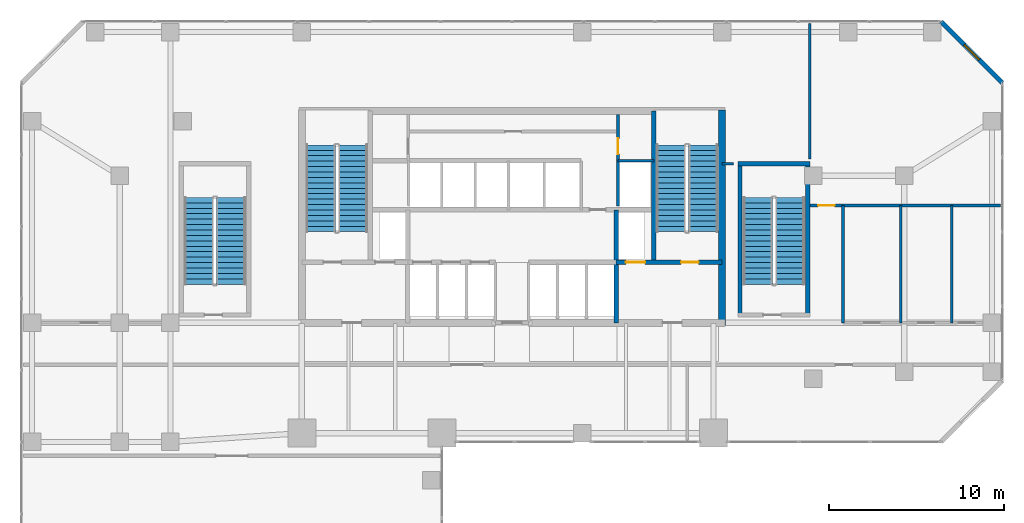
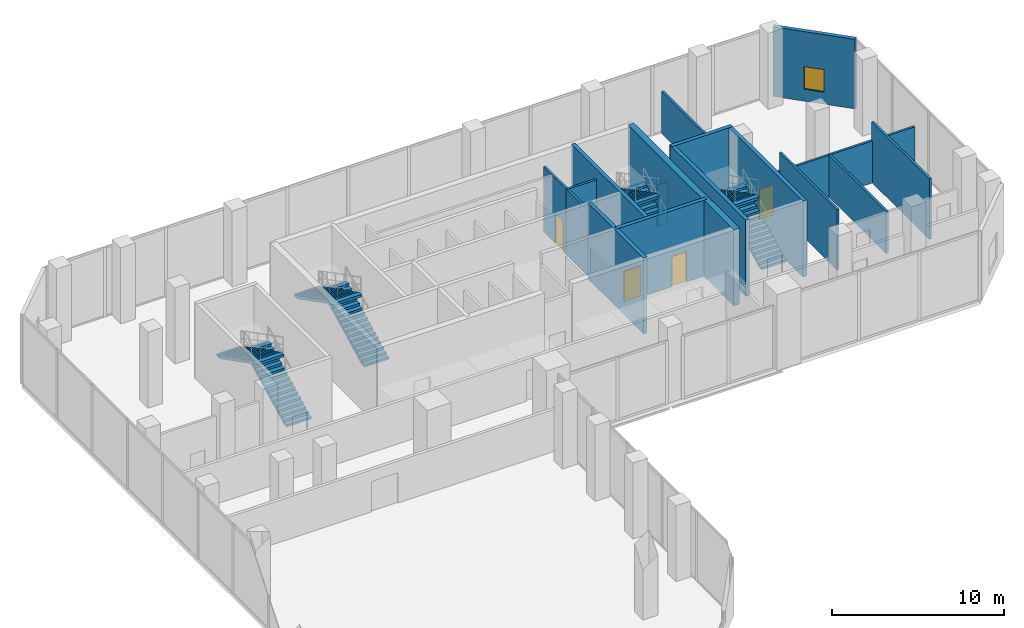
# One storey, part 22 of 24: 17 walls, 8 stair flights, 4 doors, 1 window, 5 openings, 4 elements without a shape of their own.
"""IFC4 building model written with IfcOpenShell, lengths in metres."""

from ifc_helpers import new_model, si_unit, direction, frame, frame_2d, origin, place, context, subcontext, project, spatial, polyline, rectangle, outline, extrude, material, layer, layer_set, type_object, element, fill, aggregate, save


model = new_model("IFC4")

# Units and contexts
model_context = context("Model", 3, precision=1e-05, world=origin(), true_north=direction((0.0, 1.0)))
body_context = subcontext(model_context, "Body", "Model", "MODEL_VIEW")
ifc_project = project(units=[si_unit("LENGTHUNIT", "METRE"), si_unit("AREAUNIT", "SQUARE_METRE"), si_unit("VOLUMEUNIT", "CUBIC_METRE"), si_unit("PLANEANGLEUNIT", "RADIAN"), si_unit("MASSUNIT", "GRAM", prefix="KILO")], contexts=[model_context])

# Site, building, storey
site_placement = place(None, origin())
site = spatial("IfcSite", under=ifc_project, at=site_placement, CompositionType="ELEMENT")
building_placement = place(site_placement, origin())
building = spatial("IfcBuilding", under=site, at=building_placement, Name="Catumbela Crestline Tower", CompositionType="ELEMENT")
storey_placement = place(building_placement, frame((0.0, 0.0, 15.9)))
storey = spatial("IfcBuildingStorey", under=building, at=storey_placement, Name="L03", CompositionType="ELEMENT", Elevation=15.9)

# Walls
ifc_material_1 = material(Name="Concrete C50/60", Category="concrete")
ifc_layer_1 = layer(ifc_material_1, 0.25, Name="Concrete C50/60")
ifc_layer_set_1 = layer_set([ifc_layer_1], Name="Concrete C50/60")
wall_type_1 = type_object("IfcWallType", Name="CW-250D", PredefinedType="SHEAR", material=ifc_layer_set_1)
wall_1_placement = place(storey_placement, frame((36.1, 34.25, 0.0), z_axis=(0.0, 0.0, 1.0), x_axis=(0.0, 1.0, 0.0)))
element("IfcWall", 1, at=wall_1_placement, inside=storey, type_object=wall_type_1, Name="L03 Structural Core Shear Wall EWEB", PredefinedType="SHEAR", context=body_context, shape_type="SweptSolid", body=[
    extrude(rectangle(XDim=8.65, YDim=0.25, at=frame_2d((4.325, 0.0))), origin(), (0.0, 0.0, 1.0), 5.4),
])
wall_2_placement = place(storey_placement, frame((33.95, 30.8, 0.0), z_axis=(0.0, 0.0, 1.0), x_axis=(0.0, 1.0, 0.0)))
element("IfcWall", 2, at=wall_2_placement, inside=storey, type_object=wall_type_1, Name="L03 Structural Core Shear Wall FFE", PredefinedType="SHEAR", context=body_context, shape_type="SweptSolid", body=[
    extrude(rectangle(XDim=6.45, YDim=0.25, at=frame_2d((3.225, 0.0))), origin(), (0.0, 0.0, 1.0), 5.4),
])

# Wall, openings, doors
wall_3_placement = place(storey_placement, frame((33.95, 34.25, 0.0), z_axis=(0.0, 0.0, 1.0), x_axis=(1.0, 0.0, 0.0)))
wall_3 = element("IfcWall", 3, at=wall_3_placement, inside=storey, type_object=wall_type_1, Name="L03 Structural Core Shear Wall ST2S", PredefinedType="SHEAR", context=body_context, shape_type="SweptSolid", body=[
    extrude(rectangle(XDim=6.05, YDim=0.25, at=frame_2d((3.025, 0.0))), origin(), (0.0, 0.0, 1.0), 5.4),
])
opening_1_placement = place(wall_3_placement, frame((3.7, 0.0, 0.0)))
opening_1 = element("IfcOpeningElement", 4, at=opening_1_placement, cuts=wall_3, Name="Opening DF9-100", PredefinedType="OPENING", context=body_context, shape_type="SweptSolid", body=[
    extrude(rectangle(XDim=1.0, YDim=2.15, at=frame_2d((0.5, 1.075))), frame((0.0, 0.135, 0.0), z_axis=(0.0, -1.0, 0.0), x_axis=(1.0, 0.0, 0.0)), (0.0, 0.0, 1.0), 0.27),
])
opening_2_placement = place(wall_3_placement, frame((0.55, 0.0, 0.0)))
opening_2 = element("IfcOpeningElement", 5, at=opening_2_placement, cuts=wall_3, Name="Opening LD-110", PredefinedType="OPENING", context=body_context, shape_type="SweptSolid", body=[
    extrude(rectangle(XDim=1.1, YDim=2.15, at=frame_2d((0.55, 1.075))), frame((0.0, 0.135, 0.0), z_axis=(0.0, -1.0, 0.0), x_axis=(1.0, 0.0, 0.0)), (0.0, 0.0, 1.0), 0.27),
])
ifc_material_2 = material(Name="Stainless steel EN 1.4401", Category="steel")
door_type_1 = type_object("IfcDoorType", Name="DF9-100", OperationType="NOTDEFINED", PredefinedType="DOOR", material=ifc_material_2)
door_1_placement = place(opening_1_placement, origin())
door_1 = element("IfcDoor", 6, at=door_1_placement, inside=storey, type_object=door_type_1, Name="L03 Interior Door DR-L03-ST02", OperationType="SINGLE_SWING_RIGHT", OverallHeight=2.15, OverallWidth=1.0, PredefinedType="DOOR", context=body_context, shape_type="SweptSolid", body=[
    extrude(rectangle(XDim=1.0, YDim=2.15, at=frame_2d((0.5, 1.075))), frame((0.0, 0.025, 0.0), z_axis=(0.0, -1.0, 0.0), x_axis=(1.0, 0.0, 0.0)), (0.0, 0.0, 1.0), 0.05),
])
fill(opening_1, door_1)
door_type_2 = type_object("IfcDoorType", Name="LD-110", OperationType="NOTDEFINED", PredefinedType="DOOR", material=ifc_material_2)
door_2_placement = place(opening_2_placement, origin())
door_2 = element("IfcDoor", 7, at=door_2_placement, inside=storey, type_object=door_type_2, Name="L03 Lift Landing Sliding Door FL-02", OperationType="DOUBLE_DOOR_SLIDING", OverallHeight=2.15, OverallWidth=1.1, PredefinedType="DOOR", context=body_context, shape_type="SweptSolid", body=[
    extrude(rectangle(XDim=1.1, YDim=2.15, at=frame_2d((0.55, 1.075))), frame((0.0, 0.025, 0.0), z_axis=(0.0, -1.0, 0.0), x_axis=(1.0, 0.0, 0.0)), (0.0, 0.0, 1.0), 0.05),
])
fill(opening_2, door_2)

# Walls
for number, where, z_axis, x_axis, name in (
    (8, (41.02, 31.15, 0.0), (0.0, 0.0, 1.0), (0.0, 1.0, 0.0), "L03 Structural Core Shear Wall ST4W"),
    (9, (44.88, 31.15, 0.0), (0.0, 0.0, 1.0), (0.0, 1.0, 0.0), "L03 Structural Core Shear Wall ST4E"),
):
    element("IfcWall", number, at=place(storey_placement, frame(where, z_axis=z_axis, x_axis=x_axis)), inside=storey, type_object=wall_type_1, Name=name, PredefinedType="SHEAR", context=body_context, shape_type="SweptSolid", body=[
        extrude(rectangle(XDim=8.8, YDim=0.25, at=frame_2d((4.4, 0.0))), origin(), (0.0, 0.0, 1.0), 5.4),
    ])
wall_4_placement = place(storey_placement, frame((40.9, 39.88, 0.0), z_axis=(0.0, 0.0, 1.0), x_axis=(1.0, 0.0, 0.0)))
element("IfcWall", 10, at=wall_4_placement, inside=storey, type_object=wall_type_1, Name="L03 Structural Core Shear Wall ST4N", PredefinedType="SHEAR", context=body_context, shape_type="SweptSolid", body=[
    extrude(rectangle(XDim=4.1, YDim=0.25, at=frame_2d((2.05, 0.0))), origin(), (0.0, 0.0, 1.0), 5.4),
])
ifc_material_3 = material(Name="Concrete C60/75", Category="concrete")
ifc_layer_2 = layer(ifc_material_3, 0.4, Name="Concrete C60/75")
ifc_layer_set_2 = layer_set([ifc_layer_2], Name="Concrete C60/75")
wall_type_2 = type_object("IfcWallType", Name="CW-400A", PredefinedType="SHEAR", material=ifc_layer_set_2)
wall_5_placement = place(storey_placement, frame((40.0, 30.65, 0.0), z_axis=(0.0, 0.0, 1.0), x_axis=(0.0, 1.0, 0.0)))
element("IfcWall", 11, at=wall_5_placement, inside=storey, type_object=wall_type_2, Name="L03 Structural Core Shear Wall E", PredefinedType="SHEAR", context=body_context, shape_type="SweptSolid", body=[
    extrude(rectangle(XDim=12.3, YDim=0.4, at=frame_2d((6.15, 0.0))), origin(), (0.0, 0.0, 1.0), 5.4),
])

# Wall, opening, window
ifc_material_4 = material(Name="Angolan grey-ochre granite", Category="masonry")
ifc_layer_3 = layer(ifc_material_4, 0.25, Name="Angolan grey-ochre granite")
ifc_layer_set_3 = layer_set([ifc_layer_3], Name="Angolan grey-ochre granite")
wall_type_3 = type_object("IfcWallType", Name="WE-250", PredefinedType="STANDARD", material=ifc_layer_set_3)
wall_6_placement = place(storey_placement, frame((56.0, 44.5, 0.0), z_axis=(0.0, 0.0, 1.0), x_axis=(-0.707106781187, 0.707106781187, 0.0)))
wall_6 = element("IfcWall", 12, at=wall_6_placement, inside=storey, type_object=wall_type_3, Name="L03 Granite Punched Window Wall 6-1", PredefinedType="STANDARD", context=body_context, shape_type="SweptSolid", body=[
    extrude(rectangle(XDim=4.9497, YDim=0.25, at=frame_2d((2.4748, 0.0))), origin(), (0.0, 0.0, 1.0), 4.94),
])
opening_3_placement = place(wall_6_placement, frame((1.8748, 0.0, 0.85)))
opening_3 = element("IfcOpeningElement", 13, at=opening_3_placement, cuts=wall_6, Name="Opening WN-02", PredefinedType="OPENING", context=body_context, shape_type="SweptSolid", body=[
    extrude(rectangle(XDim=1.2, YDim=1.6, at=frame_2d((0.6, 0.8))), frame((0.0, 0.135, 0.0), z_axis=(0.0, -1.0, 0.0), x_axis=(1.0, 0.0, 0.0)), (0.0, 0.0, 1.0), 0.27),
])
ifc_material_5 = material(Name="Low-E laminated solar-control double glazing", Category="glass")
window_type = type_object("IfcWindowType", Name="WO-1200", PartitioningType="SINGLE_PANEL", PredefinedType="WINDOW", material=ifc_material_5)
window_placement = place(opening_3_placement, origin())
window = element("IfcWindow", 14, at=window_placement, inside=storey, type_object=window_type, Name="L03 Facade Vision Window 38", OverallHeight=1.6, OverallWidth=1.2, PartitioningType="SINGLE_PANEL", PredefinedType="WINDOW", context=body_context, shape_type="SweptSolid", body=[
    extrude(rectangle(XDim=1.2, YDim=1.6, at=frame_2d((0.6, 0.8))), frame((0.0, 0.03, 0.0), z_axis=(0.0, -1.0, 0.0), x_axis=(1.0, 0.0, 0.0)), (0.0, 0.0, 1.0), 0.06),
])
fill(opening_3, window)

# Wall
ifc_material_6 = material(Name="Acoustic gypsum and mineral-wool partition")
ifc_layer_4 = layer(ifc_material_6, 0.15, Name="Acoustic gypsum and mineral-wool partition")
ifc_layer_set_4 = layer_set([ifc_layer_4], Name="Acoustic gypsum and mineral-wool partition")
wall_type_4 = type_object("IfcWallType", Name="WP-150", PredefinedType="PARTITIONING", material=ifc_layer_set_4)
wall_7_placement = place(storey_placement, frame((34.05, 40.05, 0.0), z_axis=(0.0, 0.0, 1.0), x_axis=(1.0, 0.0, 0.0)))
element("IfcWall", 15, at=wall_7_placement, inside=storey, type_object=wall_type_4, Name="L03 Interior Partition PW-L03-CR-ES", PredefinedType="PARTITIONING", context=body_context, shape_type="SweptSolid", body=[
    extrude(rectangle(XDim=2.05, YDim=0.15, at=frame_2d((1.025, 0.0))), origin(), (0.0, 0.0, 1.0), 4.64),
])

# Wall, opening, door
wall_8_placement = place(storey_placement, frame((34.05, 40.05, 0.0), z_axis=(0.0, 0.0, 1.0), x_axis=(0.0, 1.0, 0.0)))
wall_8 = element("IfcWall", 16, at=wall_8_placement, inside=storey, type_object=wall_type_4, Name="L03 Interior Partition PW-L03-CR-EW", PredefinedType="PARTITIONING", context=body_context, shape_type="SweptSolid", body=[
    extrude(rectangle(XDim=2.63, YDim=0.15, at=frame_2d((1.315, 0.0))), origin(), (0.0, 0.0, 1.0), 4.64),
])
opening_4_placement = place(wall_8_placement, frame((0.385, 0.0, 0.0)))
opening_4 = element("IfcOpeningElement", 17, at=opening_4_placement, cuts=wall_8, Name="Opening DF9-090", PredefinedType="OPENING", context=body_context, shape_type="SweptSolid", body=[
    extrude(rectangle(XDim=0.9, YDim=2.15, at=frame_2d((0.45, 1.075))), frame((0.0, 0.085, 0.0), z_axis=(0.0, -1.0, 0.0), x_axis=(1.0, 0.0, 0.0)), (0.0, 0.0, 1.0), 0.17),
])
door_type_3 = type_object("IfcDoorType", Name="DF9-090", OperationType="NOTDEFINED", PredefinedType="DOOR", material=ifc_material_2)
door_3_placement = place(opening_4_placement, origin())
door_3 = element("IfcDoor", 18, at=door_3_placement, inside=storey, type_object=door_type_3, Name="L03 Interior Door DR-L03-CREAST", OperationType="SINGLE_SWING_RIGHT", OverallHeight=2.15, OverallWidth=0.9, PredefinedType="DOOR", context=body_context, shape_type="SweptSolid", body=[
    extrude(rectangle(XDim=0.9, YDim=2.15, at=frame_2d((0.45, 1.075))), frame((0.0, 0.025, 0.0), z_axis=(0.0, -1.0, 0.0), x_axis=(1.0, 0.0, 0.0)), (0.0, 0.0, 1.0), 0.05),
])
fill(opening_4, door_3)

# Walls
wall_9_placement = place(storey_placement, frame((46.9, 30.8, 0.0), z_axis=(0.0, 0.0, 1.0), x_axis=(0.0, 1.0, 0.0)))
element("IfcWall", 19, at=wall_9_placement, inside=storey, type_object=wall_type_4, Name="L03 Interior Partition PW-L03-PSGE", PredefinedType="PARTITIONING", context=body_context, shape_type="SweptSolid", body=[
    extrude(rectangle(XDim=6.7, YDim=0.15, at=frame_2d((3.35, 0.0))), origin(), (0.0, 0.0, 1.0), 4.29),
])
wall_10_placement = place(storey_placement, frame((50.2, 30.8, 0.0), z_axis=(0.0, 0.0, 1.0), x_axis=(0.0, 1.0, 0.0)))
element("IfcWall", 20, at=wall_10_placement, inside=storey, type_object=wall_type_4, Name="L03 Interior Partition PW-L03-WCM1", PredefinedType="PARTITIONING", context=body_context, shape_type="SweptSolid", body=[
    extrude(rectangle(XDim=6.7, YDim=0.15, at=frame_2d((3.35, 0.0))), origin(), (0.0, 0.0, 1.0), 2.98),
])
wall_11_placement = place(storey_placement, frame((53.1, 30.8, 0.0), z_axis=(0.0, 0.0, 1.0), x_axis=(0.0, 1.0, 0.0)))
element("IfcWall", 21, at=wall_11_placement, inside=storey, type_object=wall_type_4, Name="L03 Interior Partition PW-L03-WCM2", PredefinedType="PARTITIONING", context=body_context, shape_type="SweptSolid", body=[
    extrude(rectangle(XDim=6.7, YDim=0.15, at=frame_2d((3.35, 0.0))), origin(), (0.0, 0.0, 1.0), 4.29),
])

# Wall, opening, door
wall_12_placement = place(storey_placement, frame((45.0, 37.5, 0.0), z_axis=(0.0, 0.0, 1.0), x_axis=(1.0, 0.0, 0.0)))
wall_12 = element("IfcWall", 22, at=wall_12_placement, inside=storey, type_object=wall_type_4, Name="L03 Interior Partition PW-L03-WCN", PredefinedType="PARTITIONING", context=body_context, shape_type="SweptSolid", body=[
    extrude(rectangle(XDim=10.9, YDim=0.15, at=frame_2d((5.45, 0.0))), origin(), (0.0, 0.0, 1.0), 2.98),
])
opening_5_placement = place(wall_12_placement, frame((0.475, 0.0, 0.0)))
opening_5 = element("IfcOpeningElement", 23, at=opening_5_placement, cuts=wall_12, Name="Opening DF6-095", PredefinedType="OPENING", context=body_context, shape_type="SweptSolid", body=[
    extrude(rectangle(XDim=0.95, YDim=2.15, at=frame_2d((0.475, 1.075))), frame((0.0, 0.085, 0.0), z_axis=(0.0, -1.0, 0.0), x_axis=(1.0, 0.0, 0.0)), (0.0, 0.0, 1.0), 0.17),
])
ifc_material_7 = material(Name="Aluminium alloy AW-6060-T66", Category="aluminium")
door_type_4 = type_object("IfcDoorType", Name="DF6-095", OperationType="NOTDEFINED", PredefinedType="DOOR", material=ifc_material_7)
door_4_placement = place(opening_5_placement, origin())
door_4 = element("IfcDoor", 24, at=door_4_placement, inside=storey, type_object=door_type_4, Name="L03 Interior Door DR-L03-NEE", OperationType="SINGLE_SWING_RIGHT", OverallHeight=2.15, OverallWidth=0.95, PredefinedType="DOOR", context=body_context, shape_type="SweptSolid", body=[
    extrude(rectangle(XDim=0.95, YDim=2.15, at=frame_2d((0.475, 1.075))), frame((0.0, 0.025, 0.0), z_axis=(0.0, -1.0, 0.0), x_axis=(1.0, 0.0, 0.0)), (0.0, 0.0, 1.0), 0.05),
])
fill(opening_5, door_4)

# Walls
wall_13_placement = place(storey_placement, frame((45.0, 40.1634, 0.0), z_axis=(0.0, 0.0, 1.0), x_axis=(0.0, 1.0, 0.0)))
element("IfcWall", 25, at=wall_13_placement, inside=storey, type_object=wall_type_4, Name="L03 Interior Partition PW-L03-NESVW", PredefinedType="PARTITIONING", context=body_context, shape_type="SweptSolid", body=[
    extrude(rectangle(XDim=7.7366, YDim=0.15, at=frame_2d((3.8683, 0.0))), origin(), (0.0, 0.0, 1.0), 2.98),
])
wall_14_placement = place(storey_placement, frame((40.0, 39.88, 0.0), z_axis=(0.0, 0.0, 1.0), x_axis=(1.0, 0.0, 0.0)))
element("IfcWall", 26, at=wall_14_placement, inside=storey, type_object=wall_type_4, Name="L03 Interior Partition PW-L03-NECR", PredefinedType="PARTITIONING", context=body_context, shape_type="SweptSolid", body=[
    extrude(rectangle(XDim=0.655, YDim=0.15, at=frame_2d((0.3275, 0.0))), origin(), (0.0, 0.0, 1.0), 2.98),
])
ifc_layer_5 = layer(ifc_material_6, 0.15, Name="Acoustic gypsum and mineral-wool partition")
ifc_layer_set_5 = layer_set([ifc_layer_5], Name="Acoustic gypsum and mineral-wool partition")
wall_type_5 = type_object("IfcWallType", Name="WS-150", PredefinedType="PLUMBINGWALL", material=ifc_layer_set_5)
wall_15_placement = place(storey_placement, frame((34.05, 37.4734, 0.0), z_axis=(0.0, 0.0, 1.0), x_axis=(0.0, 1.0, 0.0)))
element("IfcWall", 27, at=wall_15_placement, inside=storey, type_object=wall_type_5, Name="L03 Interior Partition PW-L03-RISW", PredefinedType="PLUMBINGWALL", context=body_context, shape_type="SweptSolid", body=[
    extrude(rectangle(XDim=2.5766, YDim=0.15, at=frame_2d((1.2883, 0.0))), origin(), (0.0, 0.0, 1.0), 4.64),
])

# Stair, stair flights
ifc_material_8 = material(Name="Concrete C45/55", Category="concrete")
stair_type = type_object("IfcStairType", Name="ST-DLG", PredefinedType="HALF_TURN_STAIR", material=ifc_material_8)
stair_1_placement = place(storey_placement, origin())
stair_1 = element("IfcStair", 28, at=stair_1_placement, inside=storey, type_object=stair_type, Name="L03 West Core Pressurised Exit Stair ST-01", PredefinedType="HALF_TURN_STAIR")
stair_flight_type = type_object("IfcStairFlightType", Name="SF-1588", PredefinedType="STRAIGHT", material=ifc_material_8)
stair_flight_1_placement = place(storey_placement, frame((18.92, 36.0, 0.0), z_axis=(0.0, 0.0, 1.0), x_axis=(0.0, 1.0, 0.0)))
stair_flight_1 = element("IfcStairFlight", 29, at=stair_flight_1_placement, type_object=stair_flight_type, Name="ST-01 flight 1", NumberOfRisers=17, NumberOfTreads=16, PredefinedType="STRAIGHT", RiserHeight=0.158823529, TreadLength=0.31, context=body_context, shape_type="SweptSolid", body=[
    extrude(outline(polyline([(0.0, 0.0), (0.0, 0.1588), (0.31, 0.1588), (0.31, 0.3176), (0.62, 0.3176), (0.62, 0.4765), (0.93, 0.4765), (0.93, 0.6353), (1.24, 0.6353), (1.24, 0.7941), (1.55, 0.7941), (1.55, 0.9529), (1.86, 0.9529), (1.86, 1.1118), (2.17, 1.1118), (2.17, 1.2706), (2.48, 1.2706), (2.48, 1.4294), (2.79, 1.4294), (2.79, 1.5882), (3.1, 1.5882), (3.1, 1.7471), (3.41, 1.7471), (3.41, 1.9059), (3.72, 1.9059), (3.72, 2.0647), (4.03, 2.0647), (4.03, 2.2235), (4.34, 2.2235), (4.34, 2.3824), (4.65, 2.3824), (4.65, 2.5412), (4.96, 2.5412), (4.96, 2.7), (4.96, 2.3614), (0.3509, 0.0), (0.0, 0.0)])), frame((0.0, 0.83, 0.0), z_axis=(0.0, -1.0, 0.0), x_axis=(1.0, 0.0, 0.0)), (0.0, 0.0, 1.0), 1.66),
])
stair_flight_2_placement = place(storey_placement, frame((17.08, 40.96, 2.7), z_axis=(0.0, 0.0, 1.0), x_axis=(0.0, -1.0, 0.0)))
stair_flight_2 = element("IfcStairFlight", 30, at=stair_flight_2_placement, type_object=stair_flight_type, Name="ST-01 flight 2", NumberOfRisers=17, NumberOfTreads=16, PredefinedType="STRAIGHT", RiserHeight=0.158823529, TreadLength=0.31, context=body_context, shape_type="SweptSolid", body=[
    extrude(outline(polyline([(0.0, 0.0), (0.0, 0.1588), (0.31, 0.1588), (0.31, 0.3176), (0.62, 0.3176), (0.62, 0.4765), (0.93, 0.4765), (0.93, 0.6353), (1.24, 0.6353), (1.24, 0.7941), (1.55, 0.7941), (1.55, 0.9529), (1.86, 0.9529), (1.86, 1.1118), (2.17, 1.1118), (2.17, 1.2706), (2.48, 1.2706), (2.48, 1.4294), (2.79, 1.4294), (2.79, 1.5882), (3.1, 1.5882), (3.1, 1.7471), (3.41, 1.7471), (3.41, 1.9059), (3.72, 1.9059), (3.72, 2.0647), (4.03, 2.0647), (4.03, 2.2235), (4.34, 2.2235), (4.34, 2.3824), (4.65, 2.3824), (4.65, 2.5412), (4.96, 2.5412), (4.96, 2.7), (4.96, 2.3614), (0.3509, 0.0), (0.0, 0.0)])), frame((0.0, 0.83, 0.0), z_axis=(0.0, -1.0, 0.0), x_axis=(1.0, 0.0, 0.0)), (0.0, 0.0, 1.0), 1.66),
])
aggregate(stair_1, [stair_flight_1, stair_flight_2])

stair_2_placement = place(storey_placement, origin())
stair_2 = element("IfcStair", 31, at=stair_2_placement, inside=storey, type_object=stair_type, Name="L03 East Core Pressurised Exit Stair ST-02", PredefinedType="HALF_TURN_STAIR")
stair_flight_3_placement = place(storey_placement, frame((38.92, 36.0, 0.0), z_axis=(0.0, 0.0, 1.0), x_axis=(0.0, 1.0, 0.0)))
stair_flight_3 = element("IfcStairFlight", 32, at=stair_flight_3_placement, type_object=stair_flight_type, Name="ST-02 flight 1", NumberOfRisers=17, NumberOfTreads=16, PredefinedType="STRAIGHT", RiserHeight=0.158823529, TreadLength=0.31, context=body_context, shape_type="SweptSolid", body=[
    extrude(outline(polyline([(0.0, 0.0), (0.0, 0.1588), (0.31, 0.1588), (0.31, 0.3176), (0.62, 0.3176), (0.62, 0.4765), (0.93, 0.4765), (0.93, 0.6353), (1.24, 0.6353), (1.24, 0.7941), (1.55, 0.7941), (1.55, 0.9529), (1.86, 0.9529), (1.86, 1.1118), (2.17, 1.1118), (2.17, 1.2706), (2.48, 1.2706), (2.48, 1.4294), (2.79, 1.4294), (2.79, 1.5882), (3.1, 1.5882), (3.1, 1.7471), (3.41, 1.7471), (3.41, 1.9059), (3.72, 1.9059), (3.72, 2.0647), (4.03, 2.0647), (4.03, 2.2235), (4.34, 2.2235), (4.34, 2.3824), (4.65, 2.3824), (4.65, 2.5412), (4.96, 2.5412), (4.96, 2.7), (4.96, 2.3614), (0.3509, 0.0), (0.0, 0.0)])), frame((0.0, 0.83, 0.0), z_axis=(0.0, -1.0, 0.0), x_axis=(1.0, 0.0, 0.0)), (0.0, 0.0, 1.0), 1.66),
])
stair_flight_4_placement = place(storey_placement, frame((37.08, 40.96, 2.7), z_axis=(0.0, 0.0, 1.0), x_axis=(0.0, -1.0, 0.0)))
stair_flight_4 = element("IfcStairFlight", 33, at=stair_flight_4_placement, type_object=stair_flight_type, Name="ST-02 flight 2", NumberOfRisers=17, NumberOfTreads=16, PredefinedType="STRAIGHT", RiserHeight=0.158823529, TreadLength=0.31, context=body_context, shape_type="SweptSolid", body=[
    extrude(outline(polyline([(0.0, 0.0), (0.0, 0.1588), (0.31, 0.1588), (0.31, 0.3176), (0.62, 0.3176), (0.62, 0.4765), (0.93, 0.4765), (0.93, 0.6353), (1.24, 0.6353), (1.24, 0.7941), (1.55, 0.7941), (1.55, 0.9529), (1.86, 0.9529), (1.86, 1.1118), (2.17, 1.1118), (2.17, 1.2706), (2.48, 1.2706), (2.48, 1.4294), (2.79, 1.4294), (2.79, 1.5882), (3.1, 1.5882), (3.1, 1.7471), (3.41, 1.7471), (3.41, 1.9059), (3.72, 1.9059), (3.72, 2.0647), (4.03, 2.0647), (4.03, 2.2235), (4.34, 2.2235), (4.34, 2.3824), (4.65, 2.3824), (4.65, 2.5412), (4.96, 2.5412), (4.96, 2.7), (4.96, 2.3614), (0.3509, 0.0), (0.0, 0.0)])), frame((0.0, 0.83, 0.0), z_axis=(0.0, -1.0, 0.0), x_axis=(1.0, 0.0, 0.0)), (0.0, 0.0, 1.0), 1.66),
])
aggregate(stair_2, [stair_flight_3, stair_flight_4])

stair_3_placement = place(storey_placement, origin())
stair_3 = element("IfcStair", 34, at=stair_3_placement, inside=storey, type_object=stair_type, Name="L03 South-West Podium Exit Stair ST-03", PredefinedType="HALF_TURN_STAIR")
stair_flight_5_placement = place(storey_placement, frame((11.97, 33.0, 0.0), z_axis=(0.0, 0.0, 1.0), x_axis=(0.0, 1.0, 0.0)))
stair_flight_5 = element("IfcStairFlight", 35, at=stair_flight_5_placement, type_object=stair_flight_type, Name="ST-03 flight 1", NumberOfRisers=17, NumberOfTreads=16, PredefinedType="STRAIGHT", RiserHeight=0.158823529, TreadLength=0.31, context=body_context, shape_type="SweptSolid", body=[
    extrude(outline(polyline([(0.0, 0.0), (0.0, 0.1588), (0.31, 0.1588), (0.31, 0.3176), (0.62, 0.3176), (0.62, 0.4765), (0.93, 0.4765), (0.93, 0.6353), (1.24, 0.6353), (1.24, 0.7941), (1.55, 0.7941), (1.55, 0.9529), (1.86, 0.9529), (1.86, 1.1118), (2.17, 1.1118), (2.17, 1.2706), (2.48, 1.2706), (2.48, 1.4294), (2.79, 1.4294), (2.79, 1.5882), (3.1, 1.5882), (3.1, 1.7471), (3.41, 1.7471), (3.41, 1.9059), (3.72, 1.9059), (3.72, 2.0647), (4.03, 2.0647), (4.03, 2.2235), (4.34, 2.2235), (4.34, 2.3824), (4.65, 2.3824), (4.65, 2.5412), (4.96, 2.5412), (4.96, 2.7), (4.96, 2.3614), (0.3509, 0.0), (0.0, 0.0)])), frame((0.0, 0.83, 0.0), z_axis=(0.0, -1.0, 0.0), x_axis=(1.0, 0.0, 0.0)), (0.0, 0.0, 1.0), 1.66),
])
stair_flight_6_placement = place(storey_placement, frame((10.13, 37.96, 2.7), z_axis=(0.0, 0.0, 1.0), x_axis=(0.0, -1.0, 0.0)))
stair_flight_6 = element("IfcStairFlight", 36, at=stair_flight_6_placement, type_object=stair_flight_type, Name="ST-03 flight 2", NumberOfRisers=17, NumberOfTreads=16, PredefinedType="STRAIGHT", RiserHeight=0.158823529, TreadLength=0.31, context=body_context, shape_type="SweptSolid", body=[
    extrude(outline(polyline([(0.0, 0.0), (0.0, 0.1588), (0.31, 0.1588), (0.31, 0.3176), (0.62, 0.3176), (0.62, 0.4765), (0.93, 0.4765), (0.93, 0.6353), (1.24, 0.6353), (1.24, 0.7941), (1.55, 0.7941), (1.55, 0.9529), (1.86, 0.9529), (1.86, 1.1118), (2.17, 1.1118), (2.17, 1.2706), (2.48, 1.2706), (2.48, 1.4294), (2.79, 1.4294), (2.79, 1.5882), (3.1, 1.5882), (3.1, 1.7471), (3.41, 1.7471), (3.41, 1.9059), (3.72, 1.9059), (3.72, 2.0647), (4.03, 2.0647), (4.03, 2.2235), (4.34, 2.2235), (4.34, 2.3824), (4.65, 2.3824), (4.65, 2.5412), (4.96, 2.5412), (4.96, 2.7), (4.96, 2.3614), (0.3509, 0.0), (0.0, 0.0)])), frame((0.0, 0.83, 0.0), z_axis=(0.0, -1.0, 0.0), x_axis=(1.0, 0.0, 0.0)), (0.0, 0.0, 1.0), 1.66),
])
aggregate(stair_3, [stair_flight_5, stair_flight_6])

stair_4_placement = place(storey_placement, origin())
stair_4 = element("IfcStair", 37, at=stair_4_placement, inside=storey, type_object=stair_type, Name="L03 East Galleria Podium Exit Stair ST-04", PredefinedType="HALF_TURN_STAIR")
stair_flight_7_placement = place(storey_placement, frame((43.87, 33.0, 0.0), z_axis=(0.0, 0.0, 1.0), x_axis=(0.0, 1.0, 0.0)))
stair_flight_7 = element("IfcStairFlight", 38, at=stair_flight_7_placement, type_object=stair_flight_type, Name="ST-04 flight 1", NumberOfRisers=17, NumberOfTreads=16, PredefinedType="STRAIGHT", RiserHeight=0.158823529, TreadLength=0.31, context=body_context, shape_type="SweptSolid", body=[
    extrude(outline(polyline([(0.0, 0.0), (0.0, 0.1588), (0.31, 0.1588), (0.31, 0.3176), (0.62, 0.3176), (0.62, 0.4765), (0.93, 0.4765), (0.93, 0.6353), (1.24, 0.6353), (1.24, 0.7941), (1.55, 0.7941), (1.55, 0.9529), (1.86, 0.9529), (1.86, 1.1118), (2.17, 1.1118), (2.17, 1.2706), (2.48, 1.2706), (2.48, 1.4294), (2.79, 1.4294), (2.79, 1.5882), (3.1, 1.5882), (3.1, 1.7471), (3.41, 1.7471), (3.41, 1.9059), (3.72, 1.9059), (3.72, 2.0647), (4.03, 2.0647), (4.03, 2.2235), (4.34, 2.2235), (4.34, 2.3824), (4.65, 2.3824), (4.65, 2.5412), (4.96, 2.5412), (4.96, 2.7), (4.96, 2.3614), (0.3509, 0.0), (0.0, 0.0)])), frame((0.0, 0.83, 0.0), z_axis=(0.0, -1.0, 0.0), x_axis=(1.0, 0.0, 0.0)), (0.0, 0.0, 1.0), 1.66),
])
stair_flight_8_placement = place(storey_placement, frame((42.03, 37.96, 2.7), z_axis=(0.0, 0.0, 1.0), x_axis=(0.0, -1.0, 0.0)))
stair_flight_8 = element("IfcStairFlight", 39, at=stair_flight_8_placement, type_object=stair_flight_type, Name="ST-04 flight 2", NumberOfRisers=17, NumberOfTreads=16, PredefinedType="STRAIGHT", RiserHeight=0.158823529, TreadLength=0.31, context=body_context, shape_type="SweptSolid", body=[
    extrude(outline(polyline([(0.0, 0.0), (0.0, 0.1588), (0.31, 0.1588), (0.31, 0.3176), (0.62, 0.3176), (0.62, 0.4765), (0.93, 0.4765), (0.93, 0.6353), (1.24, 0.6353), (1.24, 0.7941), (1.55, 0.7941), (1.55, 0.9529), (1.86, 0.9529), (1.86, 1.1118), (2.17, 1.1118), (2.17, 1.2706), (2.48, 1.2706), (2.48, 1.4294), (2.79, 1.4294), (2.79, 1.5882), (3.1, 1.5882), (3.1, 1.7471), (3.41, 1.7471), (3.41, 1.9059), (3.72, 1.9059), (3.72, 2.0647), (4.03, 2.0647), (4.03, 2.2235), (4.34, 2.2235), (4.34, 2.3824), (4.65, 2.3824), (4.65, 2.5412), (4.96, 2.5412), (4.96, 2.7), (4.96, 2.3614), (0.3509, 0.0), (0.0, 0.0)])), frame((0.0, 0.83, 0.0), z_axis=(0.0, -1.0, 0.0), x_axis=(1.0, 0.0, 0.0)), (0.0, 0.0, 1.0), 1.66),
])
aggregate(stair_4, [stair_flight_7, stair_flight_8])

save(model, "model.ifc")
